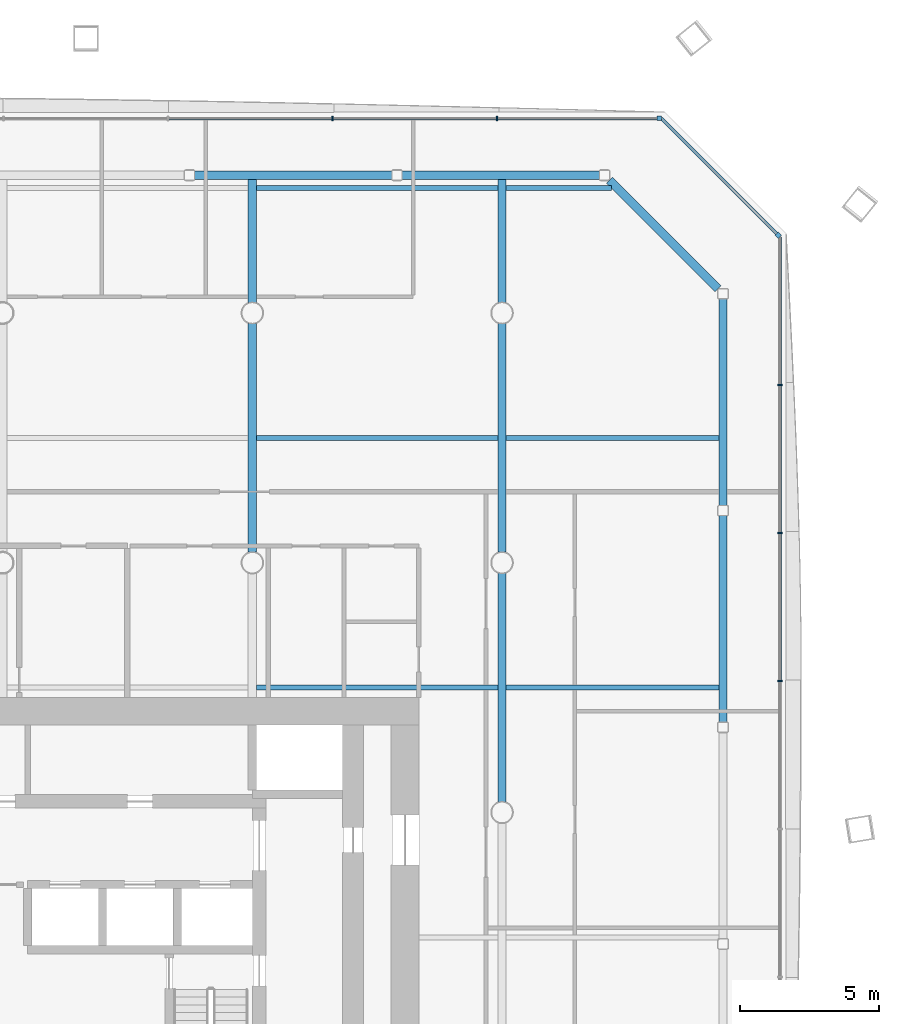
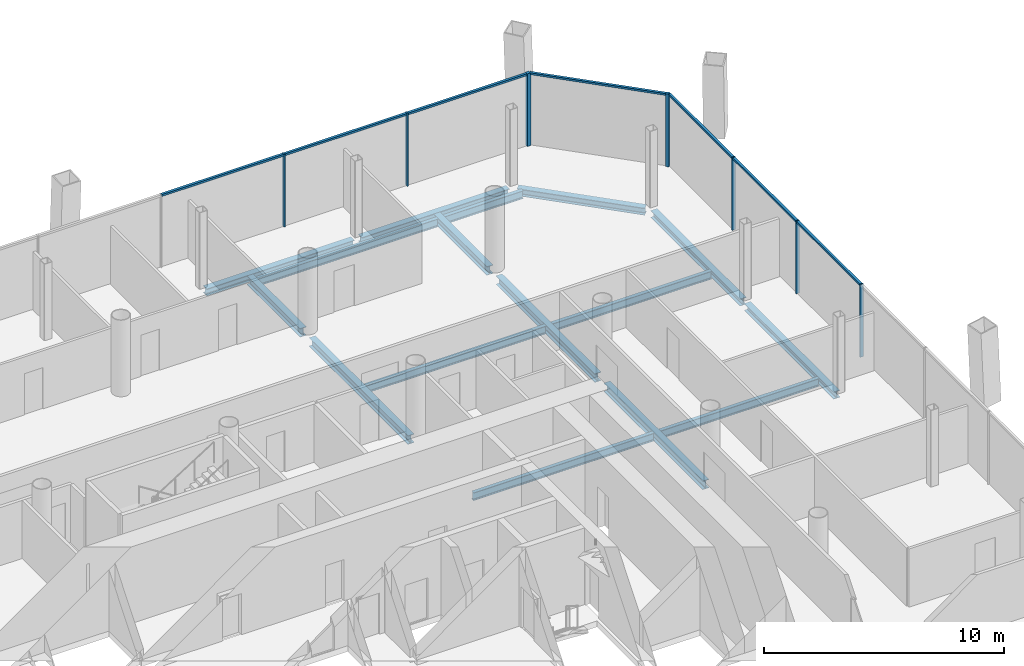
# One storey, part 9 of 19: 16 beams, 14 members, 3 elements without a shape of their own.
"""IFC4 building model written with IfcOpenShell, lengths in metres."""

from ifc_helpers import new_model, si_unit, direction, frame, origin, origin_2d, place, context, subcontext, project, spatial, rectangle, i_section, extrude, material, material_profile, profile_set, type_object, element, aggregate, save


model = new_model("IFC4")

# Units and contexts
model_context = context("Model", 3, precision=1e-05, world=origin(), true_north=direction((0.0, 1.0)))
body_context = subcontext(model_context, "Body", "Model", "MODEL_VIEW")
ifc_project = project(units=[si_unit("LENGTHUNIT", "METRE"), si_unit("AREAUNIT", "SQUARE_METRE"), si_unit("VOLUMEUNIT", "CUBIC_METRE"), si_unit("PLANEANGLEUNIT", "RADIAN"), si_unit("MASSUNIT", "GRAM", prefix="KILO")], contexts=[model_context])

# Site, building, storey
site_placement = place(None, origin())
site = spatial("IfcSite", under=ifc_project, at=site_placement, CompositionType="ELEMENT")
building_placement = place(site_placement, origin())
building = spatial("IfcBuilding", under=site, at=building_placement, Name="Tskaro Facet Tower", CompositionType="ELEMENT")
storey_placement = place(building_placement, frame((0.0, 0.0, 77.699951171875)))
storey = spatial("IfcBuildingStorey", under=building, at=storey_placement, Name="L18", CompositionType="ELEMENT", Elevation=77.699951171875)

# Curtain wall, member
ifc_material_1 = material(Name="Bronze anodised aluminium 6063-T6", Category="aluminium")
curtain_wall_type = type_object("IfcCurtainWallType", Name="Bronze office curtain wall (FW1)", PredefinedType="NOTDEFINED", material=ifc_material_1)
curtain_wall_1_placement = place(storey_placement, origin())
curtain_wall_1 = element("IfcCurtainWall", 1, at=curtain_wall_1_placement, inside=storey, type_object=curtain_wall_type, Name="FW1 north-east facet L18", PredefinedType="NOTDEFINED")
ifc_material_profile_1 = material_profile(ifc_material_1, rectangle(XDim=0.159912109375, YDim=0.159912109375, at=origin_2d()), Name="Corner post 160x160")
ifc_profile_set_1 = profile_set([ifc_material_profile_1], Name="Bronze anodised aluminium 6063-T6")
member_type_1 = type_object("IfcMemberType", Name="FW1 bronze corner post 160x160", PredefinedType="MULLION", material=ifc_profile_set_1)
member_1_placement = place(storey_placement, frame((27.954345703125, 20.800537109375, 0.0), z_axis=(0.0, 0.0, 1.0), x_axis=(-0.707106781187, 0.707106781187, 0.0)))
member_1 = element("IfcMember", 2, at=member_1_placement, type_object=member_type_1, Name="FW1 north-east corner post", PredefinedType="MULLION", context=body_context, shape_type="SweptSolid", body=[
    extrude(rectangle(XDim=0.159912109375, YDim=0.159912109375, at=origin_2d()), origin(), (0.0, 0.0, 1.0), 3.699951171875),
])

curtain_wall_2_placement = place(storey_placement, origin())
curtain_wall_2 = element("IfcCurtainWall", 3, at=curtain_wall_2_placement, inside=storey, type_object=curtain_wall_type, Name="FW1 north facet L18", PredefinedType="NOTDEFINED")
member_2_placement = place(storey_placement, frame((23.6640625, 25.010986328125, 0.0), z_axis=(0.0, 0.0, 1.0), x_axis=(-1.0, 0.0, 0.0)))
member_2 = element("IfcMember", 4, at=member_2_placement, type_object=member_type_1, Name="FW1 north corner post", PredefinedType="MULLION", context=body_context, shape_type="SweptSolid", body=[
    extrude(rectangle(XDim=0.159912109375, YDim=0.159912109375, at=origin_2d()), origin(), (0.0, 0.0, 1.0), 3.699951171875),
])

# Curtain wall, members
curtain_wall_3_placement = place(storey_placement, origin())
curtain_wall_3 = element("IfcCurtainWall", 5, at=curtain_wall_3_placement, inside=storey, type_object=curtain_wall_type, Name="FW1 east facet L18", PredefinedType="NOTDEFINED")
ifc_material_profile_2 = material_profile(ifc_material_1, rectangle(XDim=0.06005859375, YDim=0.159912109375, at=origin_2d()), Name="Mullion 60x160")
ifc_profile_set_2 = profile_set([ifc_material_profile_2], Name="Bronze anodised aluminium 6063-T6")
member_type_2 = type_object("IfcMemberType", Name="FW1 bronze mullion 60x160", PredefinedType="MULLION", material=ifc_profile_set_2)
member_3_placement = place(storey_placement, frame((28.010986328125, 4.73779296875, 0.0), z_axis=(0.0, 0.0, 1.0), x_axis=(0.0, 1.0, 0.0)))
member_3 = element("IfcMember", 6, at=member_3_placement, type_object=member_type_2, Name="FW1 east mullion 5", PredefinedType="MULLION", context=body_context, shape_type="SweptSolid", body=[
    extrude(rectangle(XDim=0.06005859375, YDim=0.159912109375, at=origin_2d()), origin(), (0.0, 0.0, 1.0), 3.699951171875),
])
member_4_placement = place(storey_placement, frame((28.010986328125, 10.0732421875, 0.0), z_axis=(0.0, 0.0, 1.0), x_axis=(0.0, 1.0, 0.0)))
member_4 = element("IfcMember", 7, at=member_4_placement, type_object=member_type_2, Name="FW1 east mullion 6", PredefinedType="MULLION", context=body_context, shape_type="SweptSolid", body=[
    extrude(rectangle(XDim=0.06005859375, YDim=0.159912109375, at=origin_2d()), origin(), (0.0, 0.0, 1.0), 3.699951171875),
])
member_5_placement = place(storey_placement, frame((28.010986328125, 15.40869140625, 0.0), z_axis=(0.0, 0.0, 1.0), x_axis=(0.0, 1.0, 0.0)))
member_5 = element("IfcMember", 8, at=member_5_placement, type_object=member_type_2, Name="FW1 east mullion 7", PredefinedType="MULLION", context=body_context, shape_type="SweptSolid", body=[
    extrude(rectangle(XDim=0.06005859375, YDim=0.159912109375, at=origin_2d()), origin(), (0.0, 0.0, 1.0), 3.699951171875),
])

# Member
member_6_placement = place(storey_placement, frame((17.817138671875, 25.010986328125, 0.0), z_axis=(0.0, 0.0, 1.0), x_axis=(-1.0, 0.0, 0.0)))
member_6 = element("IfcMember", 9, at=member_6_placement, type_object=member_type_2, Name="FW1 north mullion 1", PredefinedType="MULLION", context=body_context, shape_type="SweptSolid", body=[
    extrude(rectangle(XDim=0.06005859375, YDim=0.159912109375, at=origin_2d()), origin(), (0.0, 0.0, 1.0), 3.699951171875),
])

member_7_placement = place(storey_placement, frame((11.890380859375, 25.010986328125, 0.0), z_axis=(0.0, 0.0, 1.0), x_axis=(-1.0, 0.0, 0.0)))
member_7 = element("IfcMember", 10, at=member_7_placement, type_object=member_type_2, Name="FW1 north mullion 2", PredefinedType="MULLION", context=body_context, shape_type="SweptSolid", body=[
    extrude(rectangle(XDim=0.06005859375, YDim=0.159912109375, at=origin_2d()), origin(), (0.0, 0.0, 1.0), 3.699951171875),
])

ifc_material_profile_3 = material_profile(ifc_material_1, rectangle(XDim=0.1201171875, YDim=0.10009765625, at=origin_2d()), Name="Transom 120x100")
ifc_profile_set_3 = profile_set([ifc_material_profile_3], Name="Bronze anodised aluminium 6063-T6")
member_type_3 = type_object("IfcMemberType", Name="FW1 bronze transom 120x100", PredefinedType="USERDEFINED", material=ifc_profile_set_3)
member_8_placement = place(storey_placement, frame((28.010986328125, 4.767822265625, 3.650146484375), z_axis=(0.0, 1.0, 0.0), x_axis=(-1.0, 0.0, 0.0)))
member_8 = element("IfcMember", 11, at=member_8_placement, type_object=member_type_3, Name="FW1 east transom 6.1", ObjectType="TRANSOM", PredefinedType="USERDEFINED", context=body_context, shape_type="SweptSolid", body=[
    extrude(rectangle(XDim=0.1201171875, YDim=0.10009765625, at=origin_2d()), origin(), (0.0, 0.0, 1.0), 5.275390625),
])

member_9_placement = place(storey_placement, frame((28.010986328125, 10.103271484375, 3.650146484375), z_axis=(0.0, 1.0, 0.0), x_axis=(-1.0, 0.0, 0.0)))
member_9 = element("IfcMember", 12, at=member_9_placement, type_object=member_type_3, Name="FW1 east transom 7.1", ObjectType="TRANSOM", PredefinedType="USERDEFINED", context=body_context, shape_type="SweptSolid", body=[
    extrude(rectangle(XDim=0.1201171875, YDim=0.10009765625, at=origin_2d()), origin(), (0.0, 0.0, 1.0), 5.275390625),
])

member_10_placement = place(storey_placement, frame((28.010986328125, 15.438720703125, 3.650146484375), z_axis=(0.0, 1.0, 0.0), x_axis=(-1.0, 0.0, 0.0)))
member_10 = element("IfcMember", 13, at=member_10_placement, type_object=member_type_3, Name="FW1 east transom 8.1", ObjectType="TRANSOM", PredefinedType="USERDEFINED", context=body_context, shape_type="SweptSolid", body=[
    extrude(rectangle(XDim=0.1201171875, YDim=0.10009765625, at=origin_2d()), origin(), (0.0, 0.0, 1.0), 5.30517578125),
])

aggregate(curtain_wall_3, [member_3, member_4, member_5, member_8, member_9, member_10])

member_11_placement = place(storey_placement, frame((27.89794921875, 20.857177734375, 3.650146484375), z_axis=(-0.707127560416, 0.707086001347, 0.0), x_axis=(-0.707086001347, -0.707127560416, 0.0)))
member_11 = element("IfcMember", 14, at=member_11_placement, type_object=member_type_3, Name="FW1 north-east transom 1.1", ObjectType="TRANSOM", PredefinedType="USERDEFINED", context=body_context, shape_type="SweptSolid", body=[
    extrude(rectangle(XDim=0.1201171875, YDim=0.10009765625, at=origin_2d()), origin(), (0.0, 0.0, 1.0), 5.87451171875),
])

aggregate(curtain_wall_1, [member_1, member_11])

member_12_placement = place(storey_placement, frame((23.583984375, 25.010986328125, 3.650146484375), z_axis=(-1.0, 0.0, 0.0), x_axis=(0.0, -1.0, 0.0)))
member_12 = element("IfcMember", 15, at=member_12_placement, type_object=member_type_3, Name="FW1 north transom 1.1", ObjectType="TRANSOM", PredefinedType="USERDEFINED", context=body_context, shape_type="SweptSolid", body=[
    extrude(rectangle(XDim=0.1201171875, YDim=0.10009765625, at=origin_2d()), origin(), (0.0, 0.0, 1.0), 5.73681640625),
])

member_13_placement = place(storey_placement, frame((17.787109375, 25.010986328125, 3.650146484375), z_axis=(-1.0, 0.0, 0.0), x_axis=(0.0, -1.0, 0.0)))
member_13 = element("IfcMember", 16, at=member_13_placement, type_object=member_type_3, Name="FW1 north transom 2.1", ObjectType="TRANSOM", PredefinedType="USERDEFINED", context=body_context, shape_type="SweptSolid", body=[
    extrude(rectangle(XDim=0.1201171875, YDim=0.10009765625, at=origin_2d()), origin(), (0.0, 0.0, 1.0), 5.866943359375),
])

member_14_placement = place(storey_placement, frame((11.8603515625, 25.010986328125, 3.650146484375), z_axis=(-1.0, 0.0, 0.0), x_axis=(0.0, -1.0, 0.0)))
member_14 = element("IfcMember", 17, at=member_14_placement, type_object=member_type_3, Name="FW1 north transom 3.1", ObjectType="TRANSOM", PredefinedType="USERDEFINED", context=body_context, shape_type="SweptSolid", body=[
    extrude(rectangle(XDim=0.1201171875, YDim=0.10009765625, at=origin_2d()), origin(), (0.0, 0.0, 1.0), 5.866943359375),
])

aggregate(curtain_wall_2, [member_2, member_6, member_7, member_12, member_13, member_14])

# Beams
ifc_material_2 = material(Name="Steel S355J2", Category="steel")
ifc_material_profile_4 = material_profile(ifc_material_2, i_section(OverallWidth=0.300048828125, OverallDepth=0.360107421875, WebThickness=0.012451171875, FlangeThickness=0.0224609375, FilletRadius=0.027099609375, at=origin_2d()), Name="HE 360 B")
ifc_profile_set_4 = profile_set([ifc_material_profile_4], Name="Steel S355J2")
beam_type_1 = type_object("IfcBeamType", Name="HE 360 B ring beam", PredefinedType="BEAM", material=ifc_profile_set_4)
for number, where, z_axis, x_axis, name in (
    (18, (25.965087890625, 3.248046875, -0.320068359375), (0.0, 1.0, 0.0), (-1.0, 0.0, 0.0), "HE 360 B EB10-2"),
    (19, (25.965087890625, 11.05908203125, -0.320068359375), (0.0, 1.0, 0.0), (-1.0, 0.0, 0.0), "HE 360 B EB11-2"),
):
    element("IfcBeam", number, at=place(storey_placement, frame(where, z_axis=z_axis, x_axis=x_axis)), inside=storey, type_object=beam_type_1, Name=name, PredefinedType="BEAM", context=body_context, shape_type="SweptSolid", body=[
        extrude(i_section(OverallWidth=0.300048828125, OverallDepth=0.360107421875, WebThickness=0.012451171875, FlangeThickness=0.0224609375, FilletRadius=0.027099609375, at=origin_2d()), origin(), (0.0, 0.0, 1.0), 7.450927734375),
    ])
beam_1_placement = place(storey_placement, frame((25.779052734375, 18.8759765625, -0.320068359375), z_axis=(-0.707106781187, 0.707106781187, 0.0), x_axis=(-0.707106781187, -0.707106781187, 0.0)))
element("IfcBeam", 20, at=beam_1_placement, inside=storey, type_object=beam_type_1, Name="HE 360 B EB12-2", PredefinedType="BEAM", context=body_context, shape_type="SweptSolid", body=[
    extrude(i_section(OverallWidth=0.300048828125, OverallDepth=0.360107421875, WebThickness=0.012451171875, FlangeThickness=0.0224609375, FilletRadius=0.027099609375, at=origin_2d()), origin(), (0.0, 0.0, 1.0), 5.519775390625),
])
for number, where, z_axis, x_axis, name in (
    (21, (21.510009765625, 22.965087890625, -0.320068359375), (-1.0, 0.0, 0.0), (0.0, -1.0, 0.0), "HE 360 B EB13-2"),
    (22, (14.033935546875, 22.965087890625, -0.320068359375), (-1.0, 0.0, 0.0), (0.0, -1.0, 0.0), "HE 360 B EB14-2"),
):
    element("IfcBeam", number, at=place(storey_placement, frame(where, z_axis=z_axis, x_axis=x_axis)), inside=storey, type_object=beam_type_1, Name=name, PredefinedType="BEAM", context=body_context, shape_type="SweptSolid", body=[
        extrude(i_section(OverallWidth=0.300048828125, OverallDepth=0.360107421875, WebThickness=0.012451171875, FlangeThickness=0.0224609375, FilletRadius=0.027099609375, at=origin_2d()), origin(), (0.0, 0.0, 1.0), 7.115966796875),
    ])
ifc_material_profile_5 = material_profile(ifc_material_2, i_section(OverallWidth=0.300048828125, OverallDepth=0.43994140625, WebThickness=0.011474609375, FlangeThickness=0.02099609375, FilletRadius=0.027099609375, at=origin_2d()), Name="HE 450 A")
ifc_profile_set_5 = profile_set([ifc_material_profile_5], Name="Steel S355J2")
beam_type_2 = type_object("IfcBeamType", Name="HE 450 A girder", PredefinedType="BEAM", material=ifc_profile_set_5)
beam_2_placement = place(storey_placement, frame((9.0, 9.37646484375, -0.35986328125), z_axis=(0.0, 1.0, 0.0), x_axis=(-1.0, 0.0, 0.0)))
element("IfcBeam", 23, at=beam_2_placement, inside=storey, type_object=beam_type_2, Name="HE 450 A GB5-4-2", PredefinedType="BEAM", context=body_context, shape_type="SweptSolid", body=[
    extrude(i_section(OverallWidth=0.300048828125, OverallDepth=0.43994140625, WebThickness=0.011474609375, FlangeThickness=0.02099609375, FilletRadius=0.027099609375, at=origin_2d()), origin(), (0.0, 0.0, 1.0), 8.2470703125),
])
beam_3_placement = place(storey_placement, frame((9.0, 18.37646484375, -0.35986328125), z_axis=(0.0, 1.0, 0.0), x_axis=(-1.0, 0.0, 0.0)))
element("IfcBeam", 24, at=beam_3_placement, inside=storey, type_object=beam_type_2, Name="HE 450 A GB5-5-2", PredefinedType="BEAM", context=body_context, shape_type="SweptSolid", body=[
    extrude(i_section(OverallWidth=0.300048828125, OverallDepth=0.43994140625, WebThickness=0.011474609375, FlangeThickness=0.02099609375, FilletRadius=0.027099609375, at=origin_2d()), origin(), (0.0, 0.0, 1.0), 4.4384765625),
])
for number, where, z_axis, x_axis, name in (
    (25, (18.0, 0.37646484375, -0.35986328125), (0.0, 1.0, 0.0), (-1.0, 0.0, 0.0), "HE 450 A GB6-4-2"),
    (26, (18.0, 9.37646484375, -0.35986328125), (0.0, 1.0, 0.0), (-1.0, 0.0, 0.0), "HE 450 A GB6-5-2"),
):
    element("IfcBeam", number, at=place(storey_placement, frame(where, z_axis=z_axis, x_axis=x_axis)), inside=storey, type_object=beam_type_2, Name=name, PredefinedType="BEAM", context=body_context, shape_type="SweptSolid", body=[
        extrude(i_section(OverallWidth=0.300048828125, OverallDepth=0.43994140625, WebThickness=0.011474609375, FlangeThickness=0.02099609375, FilletRadius=0.027099609375, at=origin_2d()), origin(), (0.0, 0.0, 1.0), 8.2470703125),
    ])
beam_4_placement = place(storey_placement, frame((18.0, 18.37646484375, -0.35986328125), z_axis=(0.0, 1.0, 0.0), x_axis=(-1.0, 0.0, 0.0)))
element("IfcBeam", 27, at=beam_4_placement, inside=storey, type_object=beam_type_2, Name="HE 450 A GB6-6-2", PredefinedType="BEAM", context=body_context, shape_type="SweptSolid", body=[
    extrude(i_section(OverallWidth=0.300048828125, OverallDepth=0.43994140625, WebThickness=0.011474609375, FlangeThickness=0.02099609375, FilletRadius=0.027099609375, at=origin_2d()), origin(), (0.0, 0.0, 1.0), 4.4384765625),
])
ifc_material_profile_6 = material_profile(ifc_material_2, i_section(OverallWidth=0.179931640625, OverallDepth=0.39990234375, WebThickness=0.008544921875, FlangeThickness=0.013427734375, FilletRadius=0.02099609375, at=origin_2d()), Name="IPE 400")
ifc_profile_set_6 = profile_set([ifc_material_profile_6], Name="Steel S355J2")
beam_type_3 = type_object("IfcBeamType", Name="IPE 400 secondary beam", PredefinedType="BEAM", material=ifc_profile_set_6)
beam_5_placement = place(storey_placement, frame((9.14990234375, 4.5, -0.33984375), z_axis=(1.0, 0.0, 0.0), x_axis=(0.0, 1.0, 0.0)))
element("IfcBeam", 28, at=beam_5_placement, inside=storey, type_object=beam_type_3, Name="IPE 400 SB4a-4-2", PredefinedType="BEAM", context=body_context, shape_type="SweptSolid", body=[
    extrude(i_section(OverallWidth=0.179931640625, OverallDepth=0.39990234375, WebThickness=0.008544921875, FlangeThickness=0.013427734375, FilletRadius=0.02099609375, at=origin_2d()), origin(), (0.0, 0.0, 1.0), 8.7001953125),
])
beam_6_placement = place(storey_placement, frame((18.14990234375, 4.5, -0.33984375), z_axis=(1.0, 0.0, 0.0), x_axis=(0.0, 1.0, 0.0)))
element("IfcBeam", 29, at=beam_6_placement, inside=storey, type_object=beam_type_3, Name="IPE 400 SB4a-5-2", PredefinedType="BEAM", context=body_context, shape_type="SweptSolid", body=[
    extrude(i_section(OverallWidth=0.179931640625, OverallDepth=0.39990234375, WebThickness=0.008544921875, FlangeThickness=0.013427734375, FilletRadius=0.02099609375, at=origin_2d()), origin(), (0.0, 0.0, 1.0), 7.6650390625),
])
beam_7_placement = place(storey_placement, frame((9.14990234375, 13.5, -0.33984375), z_axis=(1.0, 0.0, 0.0), x_axis=(0.0, 1.0, 0.0)))
element("IfcBeam", 30, at=beam_7_placement, inside=storey, type_object=beam_type_3, Name="IPE 400 SB5a-4-2", PredefinedType="BEAM", context=body_context, shape_type="SweptSolid", body=[
    extrude(i_section(OverallWidth=0.179931640625, OverallDepth=0.39990234375, WebThickness=0.008544921875, FlangeThickness=0.013427734375, FilletRadius=0.02099609375, at=origin_2d()), origin(), (0.0, 0.0, 1.0), 8.7001953125),
])
beam_8_placement = place(storey_placement, frame((18.14990234375, 13.5, -0.33984375), z_axis=(1.0, 0.0, 0.0), x_axis=(0.0, 1.0, 0.0)))
element("IfcBeam", 31, at=beam_8_placement, inside=storey, type_object=beam_type_3, Name="IPE 400 SB5a-5-2", PredefinedType="BEAM", context=body_context, shape_type="SweptSolid", body=[
    extrude(i_section(OverallWidth=0.179931640625, OverallDepth=0.39990234375, WebThickness=0.008544921875, FlangeThickness=0.013427734375, FilletRadius=0.02099609375, at=origin_2d()), origin(), (0.0, 0.0, 1.0), 7.6650390625),
])
beam_9_placement = place(storey_placement, frame((9.14990234375, 22.5, -0.33984375), z_axis=(1.0, 0.0, 0.0), x_axis=(0.0, 1.0, 0.0)))
element("IfcBeam", 32, at=beam_9_placement, inside=storey, type_object=beam_type_3, Name="IPE 400 SB6a-4-2", PredefinedType="BEAM", context=body_context, shape_type="SweptSolid", body=[
    extrude(i_section(OverallWidth=0.179931640625, OverallDepth=0.39990234375, WebThickness=0.008544921875, FlangeThickness=0.013427734375, FilletRadius=0.02099609375, at=origin_2d()), origin(), (0.0, 0.0, 1.0), 8.7001953125),
])
beam_10_placement = place(storey_placement, frame((18.14990234375, 22.5, -0.33984375), z_axis=(1.0, 0.0, 0.0), x_axis=(0.0, 1.0, 0.0)))
element("IfcBeam", 33, at=beam_10_placement, inside=storey, type_object=beam_type_3, Name="IPE 400 SB6a-5-2", PredefinedType="BEAM", context=body_context, shape_type="SweptSolid", body=[
    extrude(i_section(OverallWidth=0.179931640625, OverallDepth=0.39990234375, WebThickness=0.008544921875, FlangeThickness=0.013427734375, FilletRadius=0.02099609375, at=origin_2d()), origin(), (0.0, 0.0, 1.0), 3.793212890625),
])

save(model, "model.ifc")
